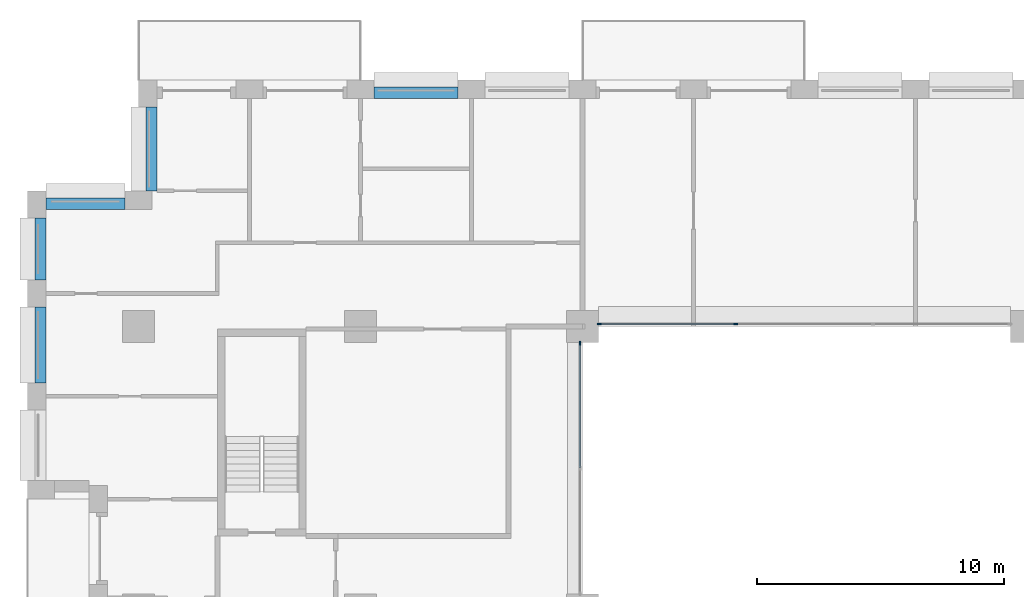
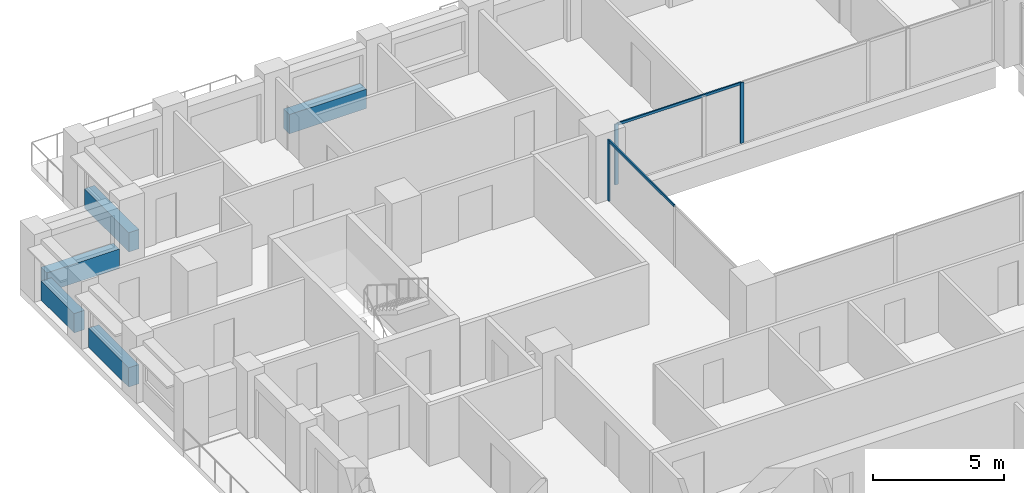
# One storey, part 5 of 17: 5 beams, 5 members, 2 elements without a shape of their own.
"""IFC4 building model written with IfcOpenShell, lengths in metres."""

from ifc_helpers import new_model, si_unit, direction, frame, origin, origin_2d, place, context, subcontext, project, spatial, rectangle, extrude, material, layer, layer_set, material_profile, profile_set, type_object, element, aggregate, save


model = new_model("IFC4")

# Units and contexts
model_context = context("Model", 3, precision=1e-05, world=origin(), true_north=direction((0.0, 1.0)))
body_context = subcontext(model_context, "Body", "Model", "MODEL_VIEW")
ifc_project = project(units=[si_unit("LENGTHUNIT", "METRE"), si_unit("AREAUNIT", "SQUARE_METRE"), si_unit("VOLUMEUNIT", "CUBIC_METRE"), si_unit("PLANEANGLEUNIT", "RADIAN"), si_unit("MASSUNIT", "GRAM", prefix="KILO")], contexts=[model_context])

# Site, building, storey
site_placement = place(None, origin())
site = spatial("IfcSite", under=ifc_project, at=site_placement, CompositionType="ELEMENT")
building_placement = place(site_placement, origin())
building = spatial("IfcBuilding", under=site, at=building_placement, Name="Brigalow Station Residences", CompositionType="ELEMENT")
storey_placement = place(building_placement, frame((0.0, 0.0, 96.14990234375)))
storey = spatial("IfcBuildingStorey", under=building, at=storey_placement, Name="L27", CompositionType="ELEMENT", Elevation=96.14990234375)

# Curtain wall, members
ifc_material_1 = material(Name="Aluminium", Category="aluminium")
ifc_layer = layer(ifc_material_1, 0.14990234375)
ifc_layer_set = layer_set([ifc_layer], Name="ATRIUM FIRE-RATED GLAZING CURTAIN WALL")
curtain_wall_type = type_object("IfcCurtainWallType", Name="ATRIUM FIRE-RATED GLAZING CURTAIN WALL", PredefinedType="NOTDEFINED", material=ifc_layer_set)
curtain_wall_1_placement = place(storey_placement, origin())
curtain_wall_1 = element("IfcCurtainWall", 1, at=curtain_wall_1_placement, inside=storey, type_object=curtain_wall_type, Name="L27/cw/atrium-N", PredefinedType="NOTDEFINED")
ifc_material_2 = material(Name="Aluminium", Category="aluminium")
ifc_material_profile_1 = material_profile(ifc_material_2, rectangle(XDim=0.06005859375, YDim=0.14990234375, at=origin_2d()), Name="ATRIUM FIRE-RATED GLAZING MULLION 60x150")
ifc_profile_set_1 = profile_set([ifc_material_profile_1], Name="Aluminium")
member_type_1 = type_object("IfcMemberType", Name="ATRIUM FIRE-RATED GLAZING MULLION 60x150", PredefinedType="MULLION", material=ifc_profile_set_1)
member_1_placement = place(storey_placement, frame((33.216796875, 35.60009765625, 0.0), z_axis=(0.0, 0.0, 1.0), x_axis=(0.0, -1.0, 0.0)))
member_1 = element("IfcMember", 2, at=member_1_placement, type_object=member_type_1, Name="L27/cw/atrium-N/M02", PredefinedType="MULLION", context=body_context, shape_type="SweptSolid", body=[
    extrude(rectangle(XDim=0.06005859375, YDim=0.14990234375, at=origin_2d()), origin(), (0.0, 0.0, 1.0), 2.830078125),
])
member_2_placement = place(storey_placement, frame((27.679931640625, 35.60009765625, 0.0), z_axis=(0.0, 0.0, 1.0), x_axis=(0.0, -1.0, 0.0)))
member_2 = element("IfcMember", 3, at=member_2_placement, type_object=member_type_1, Name="L27/cw/atrium-N/M03", PredefinedType="MULLION", context=body_context, shape_type="SweptSolid", body=[
    extrude(rectangle(XDim=0.06005859375, YDim=0.14990234375, at=origin_2d()), origin(), (0.0, 0.0, 1.0), 2.830078125),
])

# Curtain wall, member
curtain_wall_2_placement = place(storey_placement, origin())
curtain_wall_2 = element("IfcCurtainWall", 4, at=curtain_wall_2_placement, inside=storey, type_object=curtain_wall_type, Name="L27/cw/atrium-W", PredefinedType="NOTDEFINED")
member_3_placement = place(storey_placement, frame((26.89990234375, 34.820068359375, 0.0), z_axis=(0.0, 0.0, 1.0), x_axis=(1.0, 0.0, 0.0)))
member_3 = element("IfcMember", 5, at=member_3_placement, type_object=member_type_1, Name="L27/cw/atrium-W/M00", PredefinedType="MULLION", context=body_context, shape_type="SweptSolid", body=[
    extrude(rectangle(XDim=0.06005859375, YDim=0.14990234375, at=origin_2d()), origin(), (0.0, 0.0, 1.0), 2.830078125),
])

# Member
ifc_material_3 = material(Name="Aluminium", Category="aluminium")
ifc_material_profile_2 = material_profile(ifc_material_3, rectangle(XDim=0.06005859375, YDim=0.1201171875, at=origin_2d()), Name="ATRIUM FIRE-RATED GLAZING TRANSOM 60x120")
ifc_profile_set_2 = profile_set([ifc_material_profile_2], Name="Aluminium")
member_type_2 = type_object("IfcMemberType", Name="ATRIUM FIRE-RATED GLAZING TRANSOM 60x120", PredefinedType="USERDEFINED", material=ifc_profile_set_2)
member_4_placement = place(storey_placement, frame((33.186767578125, 35.60009765625, 2.800048828125), z_axis=(-1.0, 0.0, 0.0), x_axis=(0.0, -1.0, 0.0)))
member_4 = element("IfcMember", 6, at=member_4_placement, type_object=member_type_2, Name="L27/cw/atrium-N/T02-00", ObjectType="TRANSOM", PredefinedType="USERDEFINED", context=body_context, shape_type="SweptSolid", body=[
    extrude(rectangle(XDim=0.06005859375, YDim=0.1201171875, at=origin_2d()), origin(), (0.0, 0.0, 1.0), 5.476806640625),
])

aggregate(curtain_wall_1, [member_1, member_2, member_4])

member_5_placement = place(storey_placement, frame((26.89990234375, 34.7900390625, 2.800048828125), z_axis=(0.0, -1.0, 0.0), x_axis=(1.0, 0.0, 0.0)))
member_5 = element("IfcMember", 7, at=member_5_placement, type_object=member_type_2, Name="L27/cw/atrium-W/T00-00", ObjectType="TRANSOM", PredefinedType="USERDEFINED", context=body_context, shape_type="SweptSolid", body=[
    extrude(rectangle(XDim=0.06005859375, YDim=0.1201171875, at=origin_2d()), origin(), (0.0, 0.0, 1.0), 5.010009765625),
])

aggregate(curtain_wall_2, [member_3, member_5])

# Beams
ifc_material_4 = material(Name="Concrete C65", Category="concrete")
ifc_material_profile_3 = material_profile(ifc_material_4, rectangle(XDim=0.449951171875, YDim=0.89990234375, at=origin_2d()), Name="RC450x900")
ifc_profile_set_3 = profile_set([ifc_material_profile_3], Name="Concrete C65")
beam_type = type_object("IfcBeamType", Name="SPANDREL BEAM 450x900 C65", PredefinedType="SPANDREL", material=ifc_profile_set_3)
for number, where, z_axis, x_axis, name in (
    (8, (21.949951171875, 44.97509765625, 0.4501953125), (-1.0, 0.0, 0.0), (0.0, -1.0, 0.0), "L27/spandrel/W-L27-34"),
    (9, (9.52490234375, 44.39990234375, 0.4501953125), (0.0, -1.0, 0.0), (1.0, 0.0, 0.0), "L27/spandrel/W-L27-37"),
):
    element("IfcBeam", number, at=place(storey_placement, frame(where, z_axis=z_axis, x_axis=x_axis)), inside=storey, type_object=beam_type, Name=name, PredefinedType="SPANDREL", context=body_context, shape_type="SweptSolid", body=[
        extrude(rectangle(XDim=0.449951171875, YDim=0.89990234375, at=origin_2d()), origin(), (0.0, 0.0, 1.0), 3.39990234375),
    ])
beam_1_placement = place(storey_placement, frame((8.449951171875, 40.47509765625, 0.4501953125), z_axis=(-1.0, 0.0, 0.0), x_axis=(0.0, -1.0, 0.0)))
element("IfcBeam", 10, at=beam_1_placement, inside=storey, type_object=beam_type, Name="L27/spandrel/W-L27-38", PredefinedType="SPANDREL", context=body_context, shape_type="SweptSolid", body=[
    extrude(rectangle(XDim=0.449951171875, YDim=0.89990234375, at=origin_2d()), origin(), (0.0, 0.0, 1.0), 3.199951171875),
])
beam_2_placement = place(storey_placement, frame((5.02490234375, 39.89990234375, 0.4501953125), z_axis=(0.0, -1.0, 0.0), x_axis=(1.0, 0.0, 0.0)))
element("IfcBeam", 11, at=beam_2_placement, inside=storey, type_object=beam_type, Name="L27/spandrel/W-L27-39", PredefinedType="SPANDREL", context=body_context, shape_type="SweptSolid", body=[
    extrude(rectangle(XDim=0.449951171875, YDim=0.89990234375, at=origin_2d()), origin(), (0.0, 0.0, 1.0), 2.516845703125),
])
beam_3_placement = place(storey_placement, frame((5.02490234375, 36.282958984375, 0.4501953125), z_axis=(0.0, -1.0, 0.0), x_axis=(1.0, 0.0, 0.0)))
element("IfcBeam", 12, at=beam_3_placement, inside=storey, type_object=beam_type, Name="L27/spandrel/W-L27-40", PredefinedType="SPANDREL", context=body_context, shape_type="SweptSolid", body=[
    extrude(rectangle(XDim=0.449951171875, YDim=0.89990234375, at=origin_2d()), origin(), (0.0, 0.0, 1.0), 3.06591796875),
])

save(model, "model.ifc")
